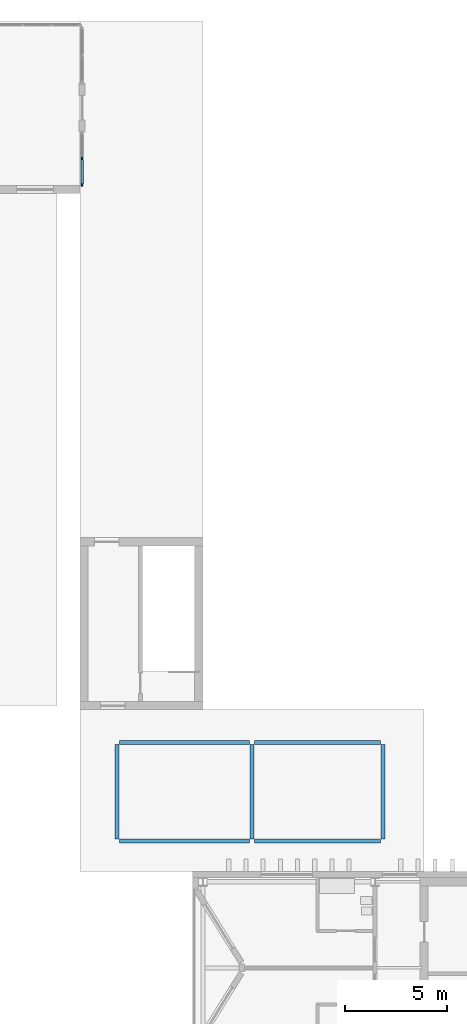
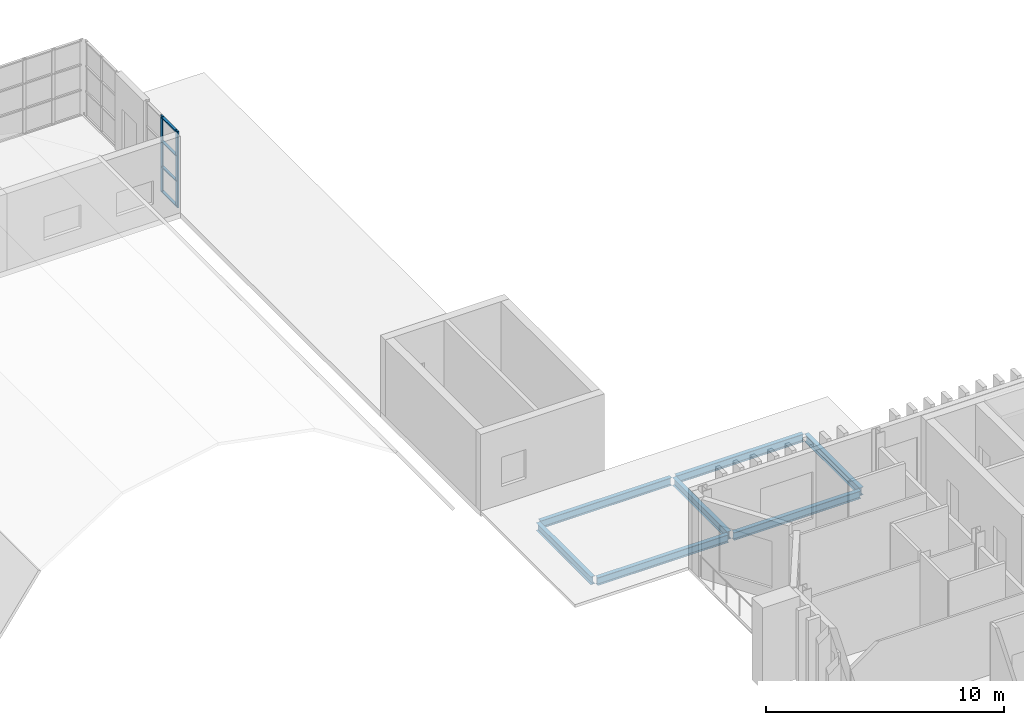
# One storey, part 42 of 100: 7 beams, 6 members, 1 element without a shape of its own.
"""IFC4 building model written with IfcOpenShell, lengths in metres."""

from ifc_helpers import new_model, si_unit, direction, frame, origin, origin_2d, place, context, subcontext, project, spatial, rectangle, i_section, extrude, material, material_profile, profile_set, type_object, element, aggregate, save


model = new_model("IFC4")

# Units and contexts
model_context = context("Model", 3, precision=1e-05, world=origin(), true_north=direction((0.0, 1.0)))
body_context = subcontext(model_context, "Body", "Model", "MODEL_VIEW")
ifc_project = project(units=[si_unit("LENGTHUNIT", "METRE"), si_unit("AREAUNIT", "SQUARE_METRE"), si_unit("VOLUMEUNIT", "CUBIC_METRE"), si_unit("PLANEANGLEUNIT", "RADIAN"), si_unit("MASSUNIT", "GRAM", prefix="KILO")], contexts=[model_context])

# Site, building, storey
site_placement = place(None, origin())
site = spatial("IfcSite", under=ifc_project, at=site_placement, CompositionType="ELEMENT")
building_placement = place(site_placement, origin())
building = spatial("IfcBuilding", under=site, at=building_placement, Name="Cresset Court Congress Hotel", CompositionType="ELEMENT")
storey_placement = place(building_placement, frame((0.0, 0.0, 10.199951171875)))
storey = spatial("IfcBuildingStorey", under=building, at=storey_placement, Name="L02", CompositionType="ELEMENT", Elevation=10.199951171875)

# Curtain wall, members
ifc_material_1 = material(Name="Aluminium frame with insulated glass", Category="aluminium")
curtain_wall_type = type_object("IfcCurtainWallType", Name="Curtain wall module 1300", PredefinedType="NOTDEFINED", material=ifc_material_1)
curtain_wall_placement = place(storey_placement, origin())
curtain_wall = element("IfcCurtainWall", 1, at=curtain_wall_placement, inside=storey, type_object=curtain_wall_type, Name="Curtain wall E1", PredefinedType="NOTDEFINED")
ifc_material_2 = material(Name="Aluminium", Category="aluminium")
ifc_material_profile_1 = material_profile(ifc_material_2, rectangle(XDim=0.1201171875, YDim=0.06005859375, at=origin_2d()), Name="AL 120x60")
ifc_profile_set_1 = profile_set([ifc_material_profile_1], Name="Aluminium")
member_type_1 = type_object("IfcMemberType", Name="CW transom RECT 120x60", PredefinedType="USERDEFINED", material=ifc_profile_set_1)
member_1_placement = place(storey_placement, frame((151.300048828125, 101.260009765625, 0.06005859375), z_axis=(0.0, 1.0, 0.0), x_axis=(-1.0, 0.0, 0.0)))
member_1 = element("IfcMember", 2, at=member_1_placement, type_object=member_type_1, Name="E-X1 transom 1.1", ObjectType="TRANSOM", PredefinedType="USERDEFINED", context=body_context, shape_type="SweptSolid", body=[
    extrude(rectangle(XDim=0.1201171875, YDim=0.06005859375, at=origin_2d()), origin(), (0.0, 0.0, 1.0), 1.2099609375),
])
member_2_placement = place(storey_placement, frame((151.300048828125, 101.260009765625, 1.3330078125), z_axis=(0.0, 1.0, 0.0), x_axis=(-1.0, 0.0, 0.0)))
member_2 = element("IfcMember", 3, at=member_2_placement, type_object=member_type_1, Name="E-X1 transom 1.2", ObjectType="TRANSOM", PredefinedType="USERDEFINED", context=body_context, shape_type="SweptSolid", body=[
    extrude(rectangle(XDim=0.1201171875, YDim=0.06005859375, at=origin_2d()), origin(), (0.0, 0.0, 1.0), 1.2099609375),
])
member_3_placement = place(storey_placement, frame((151.300048828125, 101.260009765625, 2.6259765625), z_axis=(0.0, 1.0, 0.0), x_axis=(-1.0, 0.0, 0.0)))
member_3 = element("IfcMember", 4, at=member_3_placement, type_object=member_type_1, Name="E-X1 transom 1.3", ObjectType="TRANSOM", PredefinedType="USERDEFINED", context=body_context, shape_type="SweptSolid", body=[
    extrude(rectangle(XDim=0.1201171875, YDim=0.06005859375, at=origin_2d()), origin(), (0.0, 0.0, 1.0), 1.2099609375),
])
member_4_placement = place(storey_placement, frame((151.300048828125, 101.260009765625, 3.860107421875), z_axis=(0.0, 1.0, 0.0), x_axis=(-1.0, 0.0, 0.0)))
member_4 = element("IfcMember", 5, at=member_4_placement, type_object=member_type_1, Name="E-X1 transom 1.4", ObjectType="TRANSOM", PredefinedType="USERDEFINED", context=body_context, shape_type="SweptSolid", body=[
    extrude(rectangle(XDim=0.1201171875, YDim=0.06005859375, at=origin_2d()), origin(), (0.0, 0.0, 1.0), 1.2099609375),
])
ifc_material_3 = material(Name="Anodised aluminium", Category="aluminium")
ifc_material_profile_2 = material_profile(ifc_material_3, rectangle(XDim=0.06005859375, YDim=0.159912109375, at=origin_2d()), Name="AL60x160")
ifc_profile_set_2 = profile_set([ifc_material_profile_2], Name="Anodised aluminium")
member_type_2 = type_object("IfcMemberType", Name="Curtain wall mullion 60x160", PredefinedType="MULLION", material=ifc_profile_set_2)
member_5_placement = place(storey_placement, frame((151.300048828125, 101.22998046875, 0.0), z_axis=(0.0, 0.0, 1.0), x_axis=(-1.0, 0.0, 0.0)))
member_5 = element("IfcMember", 6, at=member_5_placement, type_object=member_type_2, Name="E-X1 mullion 1", PredefinedType="MULLION", context=body_context, shape_type="SweptSolid", body=[
    extrude(rectangle(XDim=0.06005859375, YDim=0.159912109375, at=origin_2d()), origin(), (0.0, 0.0, 1.0), 3.920166015625),
])
member_6_placement = place(storey_placement, frame((151.300048828125, 102.5, 0.0), z_axis=(0.0, 0.0, 1.0), x_axis=(-1.0, 0.0, 0.0)))
member_6 = element("IfcMember", 7, at=member_6_placement, type_object=member_type_2, Name="E-X1 mullion 2", PredefinedType="MULLION", context=body_context, shape_type="SweptSolid", body=[
    extrude(rectangle(XDim=0.06005859375, YDim=0.159912109375, at=origin_2d()), origin(), (0.0, 0.0, 1.0), 3.920166015625),
])
aggregate(curtain_wall, [member_5, member_6, member_1, member_2, member_3, member_4])

# Beams
ifc_material_4 = material(Name="Structural steel Q355B", Category="steel")
ifc_material_profile_3 = material_profile(ifc_material_4, i_section(OverallWidth=0.199951171875, OverallDepth=0.39990234375, WebThickness=0.008056640625, FlangeThickness=0.012939453125, FilletRadius=0.01611328125, at=origin_2d()), Name="HN400x200x8x13")
ifc_profile_set_3 = profile_set([ifc_material_profile_3], Name="Structural steel Q355B")
beam_type = type_object("IfcBeamType", Name="Steel beam HN400x200x8x13", PredefinedType="BEAM", material=ifc_profile_set_3)
beam_1_placement = place(storey_placement, frame((153.125, 69.199951171875, -0.349853515625), z_axis=(1.0, 0.0, 0.0), x_axis=(0.0, 1.0, 0.0)))
element("IfcBeam", 8, at=beam_1_placement, inside=storey, type_object=beam_type, Name="S.link.L02.B01", PredefinedType="BEAM", context=body_context, shape_type="SweptSolid", body=[
    extrude(i_section(OverallWidth=0.199951171875, OverallDepth=0.39990234375, WebThickness=0.008056640625, FlangeThickness=0.012939453125, FilletRadius=0.01611328125, at=origin_2d()), origin(), (0.0, 0.0, 1.0), 6.35009765625),
])
beam_2_placement = place(storey_placement, frame((159.72509765625, 69.199951171875, -0.349853515625), z_axis=(1.0, 0.0, 0.0), x_axis=(0.0, 1.0, 0.0)))
element("IfcBeam", 9, at=beam_2_placement, inside=storey, type_object=beam_type, Name="S.link.L02.B02", PredefinedType="BEAM", context=body_context, shape_type="SweptSolid", body=[
    extrude(i_section(OverallWidth=0.199951171875, OverallDepth=0.39990234375, WebThickness=0.008056640625, FlangeThickness=0.012939453125, FilletRadius=0.01611328125, at=origin_2d()), origin(), (0.0, 0.0, 1.0), 6.14990234375),
])
beam_3_placement = place(storey_placement, frame((153.125, 74.0, -0.349853515625), z_axis=(1.0, 0.0, 0.0), x_axis=(0.0, 1.0, 0.0)))
element("IfcBeam", 10, at=beam_3_placement, inside=storey, type_object=beam_type, Name="S.link.L02.B03", PredefinedType="BEAM", context=body_context, shape_type="SweptSolid", body=[
    extrude(i_section(OverallWidth=0.199951171875, OverallDepth=0.39990234375, WebThickness=0.008056640625, FlangeThickness=0.012939453125, FilletRadius=0.01611328125, at=origin_2d()), origin(), (0.0, 0.0, 1.0), 6.35009765625),
])
beam_4_placement = place(storey_placement, frame((159.72509765625, 74.0, -0.349853515625), z_axis=(1.0, 0.0, 0.0), x_axis=(0.0, 1.0, 0.0)))
element("IfcBeam", 11, at=beam_4_placement, inside=storey, type_object=beam_type, Name="S.link.L02.B04", PredefinedType="BEAM", context=body_context, shape_type="SweptSolid", body=[
    extrude(i_section(OverallWidth=0.199951171875, OverallDepth=0.39990234375, WebThickness=0.008056640625, FlangeThickness=0.012939453125, FilletRadius=0.01611328125, at=origin_2d()), origin(), (0.0, 0.0, 1.0), 6.14990234375),
])
for number, where, z_axis, x_axis, name in (
    (12, (153.0, 69.300048828125, -0.349853515625), (0.0, 1.0, 0.0), (-1.0, 0.0, 0.0), "S.link.L02.B05"),
    (13, (159.60009765625, 69.300048828125, -0.349853515625), (0.0, 1.0, 0.0), (-1.0, 0.0, 0.0), "S.link.L02.B06"),
    (14, (166.0, 69.300048828125, -0.349853515625), (0.0, 1.0, 0.0), (-1.0, 0.0, 0.0), "S.link.L02.B07"),
):
    element("IfcBeam", number, at=place(storey_placement, frame(where, z_axis=z_axis, x_axis=x_axis)), inside=storey, type_object=beam_type, Name=name, PredefinedType="BEAM", context=body_context, shape_type="SweptSolid", body=[
        extrude(i_section(OverallWidth=0.199951171875, OverallDepth=0.39990234375, WebThickness=0.008056640625, FlangeThickness=0.012939453125, FilletRadius=0.01611328125, at=origin_2d()), origin(), (0.0, 0.0, 1.0), 4.599853515625),
    ])

save(model, "model.ifc")
